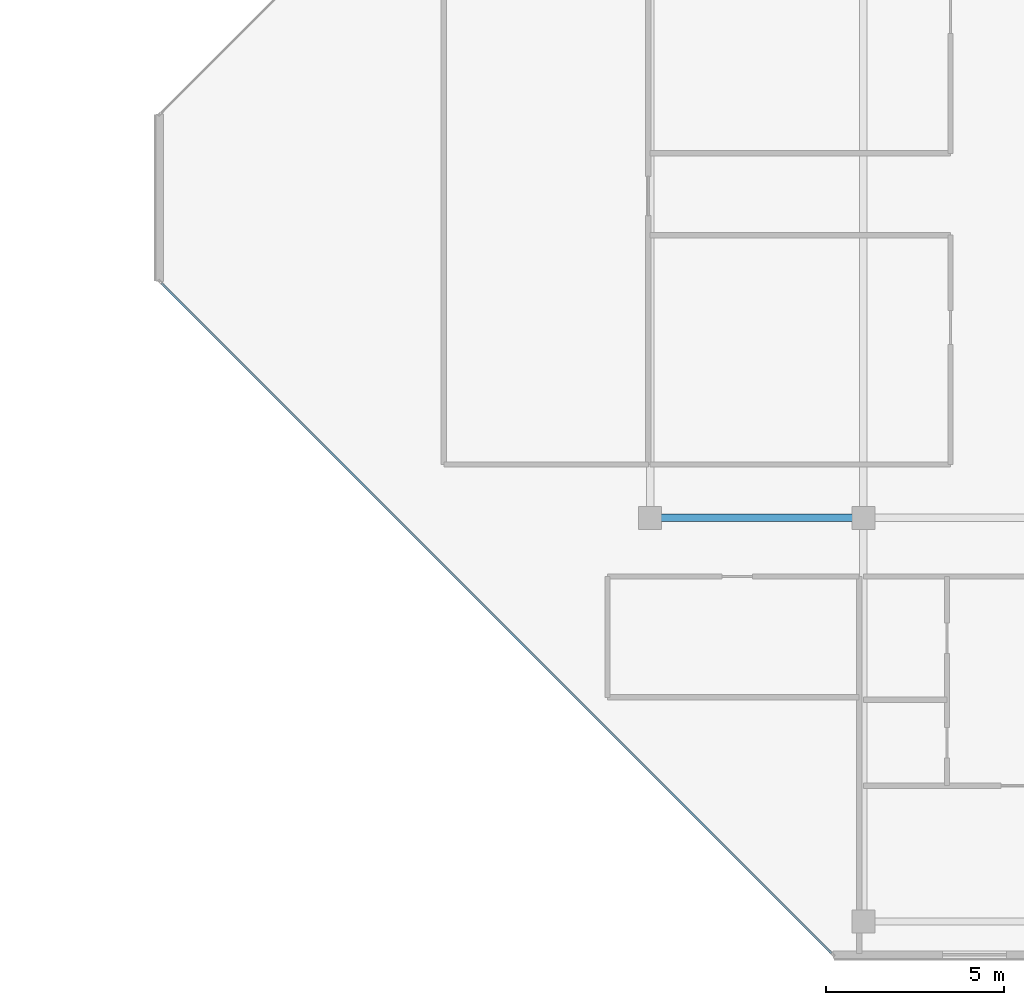
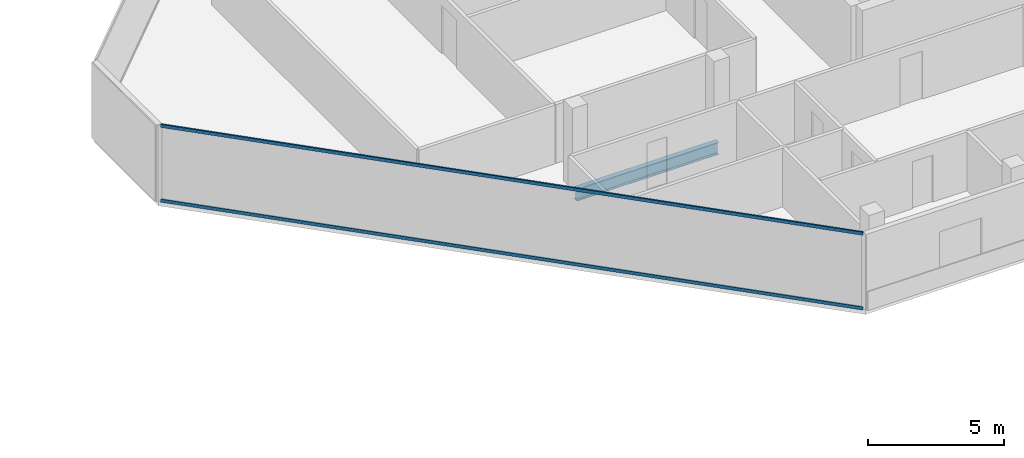
# One storey, part 9 of 28: 2 members, 1 beam, 1 element without a shape of its own.
"""IFC4 building model written with IfcOpenShell, lengths in metres."""

from ifc_helpers import new_model, si_unit, direction, frame, origin, origin_2d, place, context, subcontext, project, spatial, hollow_rectangle, i_section, extrude, material, layer, layer_set, material_profile, profile_set, type_object, element, aggregate, save


model = new_model("IFC4")

# Units and contexts
model_context = context("Model", 3, precision=1e-05, world=origin(), true_north=direction((0.0, 1.0)))
body_context = subcontext(model_context, "Body", "Model", "MODEL_VIEW")
ifc_project = project(units=[si_unit("LENGTHUNIT", "METRE"), si_unit("AREAUNIT", "SQUARE_METRE"), si_unit("VOLUMEUNIT", "CUBIC_METRE"), si_unit("PLANEANGLEUNIT", "RADIAN"), si_unit("MASSUNIT", "GRAM", prefix="KILO")], contexts=[model_context])

# Site, building, storey
site_placement = place(None, origin())
site = spatial("IfcSite", under=ifc_project, at=site_placement, CompositionType="ELEMENT")
building_placement = place(site_placement, origin())
building = spatial("IfcBuilding", under=site, at=building_placement, Name="Tanjung Sevakor Pilgrim Tower", CompositionType="ELEMENT")
storey_placement = place(building_placement, frame((0.0, 0.0, 249.81005859375)))
storey = spatial("IfcBuildingStorey", under=building, at=storey_placement, Name="L70", CompositionType="ELEMENT", Elevation=249.81005859375)

# Beam
ifc_material_1 = material(Name="Steel S355J2", Category="steel")
ifc_material_profile_1 = material_profile(ifc_material_1, i_section(OverallWidth=0.2119140625, OverallDepth=0.54443359375, WebThickness=0.0126953125, FlangeThickness=0.021240234375, FilletRadius=0.0126953125, at=origin_2d()))
ifc_profile_set_1 = profile_set([ifc_material_profile_1], Name="Steel S355J2")
beam_type = type_object("IfcBeamType", Name="BM-B-G5-UB_533x210x122", PredefinedType="BEAM", material=ifc_profile_set_1)
beam_placement = place(storey_placement, frame((66.0, 24.60009765625, -0.492431640625), z_axis=(1.0, 0.0, 0.0), x_axis=(0.0, 1.0, 0.0)))
element("IfcBeam", 1, at=beam_placement, inside=storey, type_object=beam_type, Name="L70 Primary Floor Girder EAST Y246-01", PredefinedType="BEAM", context=body_context, shape_type="SweptSolid", body=[
    extrude(i_section(OverallWidth=0.2119140625, OverallDepth=0.54443359375, WebThickness=0.0126953125, FlangeThickness=0.021240234375, FilletRadius=0.0126953125, at=origin_2d()), origin(), (0.0, 0.0, 1.0), 6.0),
])

# Curtain wall, members
ifc_material_2 = material(Name="Aluminium 6063-T6 and Low-E Glass", Category="aluminium")
ifc_layer = layer(ifc_material_2, 0.179931640625)
ifc_layer_set = layer_set([ifc_layer], Name="CW-SYS-CHAM")
curtain_wall_type = type_object("IfcCurtainWallType", Name="CW-SYS-CHAM", PredefinedType="NOTDEFINED", material=ifc_layer_set)
curtain_wall_placement = place(storey_placement, origin())
curtain_wall = element("IfcCurtainWall", 2, at=curtain_wall_placement, inside=storey, type_object=curtain_wall_type, Name="L70 Curtain Wall CW-CHM-L70-EAST-7", PredefinedType="NOTDEFINED")
ifc_material_3 = material(Name="Aluminium 6063-T6", Category="aluminium")
ifc_material_profile_2 = material_profile(ifc_material_3, hollow_rectangle(XDim=0.06494140625, YDim=0.139892578125, WallThickness=0.00390625, at=origin_2d()))
ifc_profile_set_2 = profile_set([ifc_material_profile_2], Name="Aluminium 6063-T6")
member_type = type_object("IfcMemberType", Name="TYPE-CWT-1", PredefinedType="USERDEFINED", material=ifc_profile_set_2)
member_1_placement = place(storey_placement, frame((52.255859375, 31.19970703125, 0.032470703125), z_axis=(0.707106781187, -0.707106781187, 0.0), x_axis=(0.707106781187, 0.707106781187, 0.0)))
member_1 = element("IfcMember", 3, at=member_1_placement, type_object=member_type, Name="CW-CHM transom 1.1", ObjectType="TRANSOM", PredefinedType="USERDEFINED", context=body_context, shape_type="SweptSolid", body=[
    extrude(hollow_rectangle(XDim=0.06494140625, YDim=0.139892578125, WallThickness=0.00390625, at=origin_2d()), origin(), (0.0, 0.0, 1.0), 26.649169921875),
])
member_2_placement = place(storey_placement, frame((52.255859375, 31.19970703125, 3.37744140625), z_axis=(0.707106781187, -0.707106781187, 0.0), x_axis=(0.707106781187, 0.707106781187, 0.0)))
member_2 = element("IfcMember", 4, at=member_2_placement, type_object=member_type, Name="CW-CHM transom 1.2", ObjectType="TRANSOM", PredefinedType="USERDEFINED", context=body_context, shape_type="SweptSolid", body=[
    extrude(hollow_rectangle(XDim=0.06494140625, YDim=0.139892578125, WallThickness=0.00390625, at=origin_2d()), origin(), (0.0, 0.0, 1.0), 26.649169921875),
])
aggregate(curtain_wall, [member_1, member_2])

save(model, "model.ifc")
